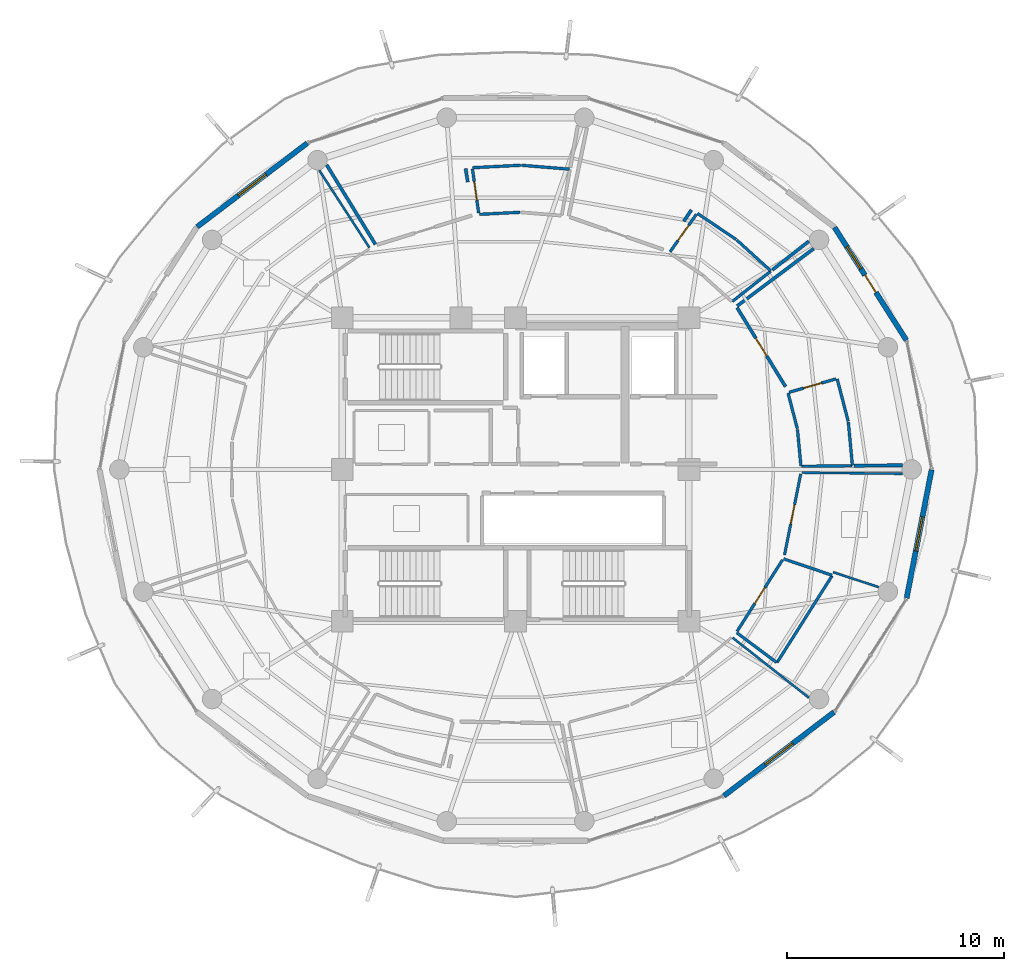
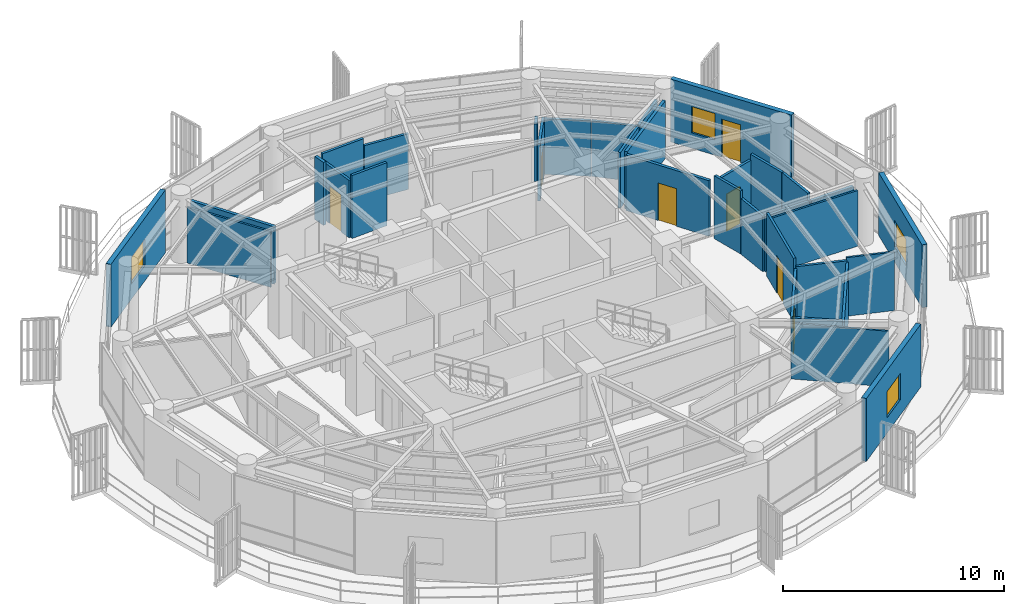
# One storey, part 19 of 24: 34 walls, 7 doors, 4 windows, 11 openings.
"""IFC4 building model written with IfcOpenShell, lengths in metres."""

from ifc_helpers import new_model, si_unit, direction, frame, frame_2d, origin, place, context, subcontext, project, spatial, rectangle, extrude, material, layer, layer_set, type_object, element, fill, save


model = new_model("IFC4")

# Units and contexts
model_context = context("Model", 3, precision=1e-05, world=origin(), true_north=direction((0.0, 1.0)))
body_context = subcontext(model_context, "Body", "Model", "MODEL_VIEW")
ifc_project = project(units=[si_unit("LENGTHUNIT", "METRE"), si_unit("AREAUNIT", "SQUARE_METRE"), si_unit("VOLUMEUNIT", "CUBIC_METRE"), si_unit("PLANEANGLEUNIT", "RADIAN"), si_unit("MASSUNIT", "GRAM", prefix="KILO")], contexts=[model_context])

# Site, building, storey
site_placement = place(None, origin())
site = spatial("IfcSite", under=ifc_project, at=site_placement, CompositionType="ELEMENT")
building_placement = place(site_placement, origin())
building = spatial("IfcBuilding", under=site, at=building_placement, Name="Kelanora Arch Commons", CompositionType="ELEMENT")
storey_placement = place(building_placement, frame((0.0, 0.0, 248.699951171875)))
storey = spatial("IfcBuildingStorey", under=building, at=storey_placement, Name="L63", CompositionType="ELEMENT", Elevation=248.699951171875)

# Wall, opening, door
ifc_material_1 = material(Name="Autoclaved aerated concrete blockwork with fire plaster", Category="masonry")
ifc_layer_1 = layer(ifc_material_1, 0.14990234375)
ifc_layer_set_1 = layer_set([ifc_layer_1], Name="Autoclaved aerated concrete blockwork with fire plaster")
wall_type_1 = type_object("IfcWallType", Name="W-COMP-150", PredefinedType="PARTITIONING", material=ifc_layer_set_1)
wall_1_placement = place(storey_placement, frame((86.45556640625, 61.82421875, 0.0), z_axis=(0.0, 0.0, 1.0), x_axis=(-0.522665227064, 0.852538011128, 0.0)))
wall_1 = element("IfcWall", 1, at=wall_1_placement, inside=storey, type_object=wall_type_1, Name="Co-Living Studio L63-01 Entry Partition", PredefinedType="PARTITIONING", context=body_context, shape_type="SweptSolid", body=[
    extrude(rectangle(XDim=4.272705078125, YDim=0.14990234375, at=frame_2d((2.13623046875, 0.0))), origin(), (0.0, 0.0, 1.0), 3.074951171875),
])
opening_1_placement = place(wall_1_placement, frame((1.660888671875, 0.0, 0.0)))
opening_1 = element("IfcOpeningElement", 2, at=opening_1_placement, cuts=wall_1, Name="Opening D-CLU1", PredefinedType="OPENING", context=body_context, shape_type="SweptSolid", body=[
    extrude(rectangle(XDim=0.949951171875, YDim=2.080078125, at=frame_2d((0.47509765625, 1.0400390625))), frame((0.0, 0.0849609375, 0.0), z_axis=(0.0, -1.0, 0.0), x_axis=(1.0, 0.0, 0.0)), (0.0, 0.0, 1.0), 0.169921875),
])
ifc_material_2 = material(Name="Solid-core acoustic timber cluster entry fire door", Category="wood")
door_type_1 = type_object("IfcDoorType", Name="D-CLU-95", OperationType="NOTDEFINED", PredefinedType="DOOR", material=ifc_material_2)
door_1_placement = place(opening_1_placement, origin())
door_1 = element("IfcDoor", 3, at=door_1_placement, inside=storey, type_object=door_type_1, Name="Co-Living Studio L63-01 Door", OperationType="SINGLE_SWING_RIGHT", OverallHeight=2.080078125, OverallWidth=0.949951171875, PredefinedType="DOOR", context=body_context, shape_type="SweptSolid", body=[
    extrude(rectangle(XDim=0.949951171875, YDim=2.080078125, at=frame_2d((0.47509765625, 1.0400390625))), frame((0.0, 0.02490234375, 0.0), z_axis=(0.0, -1.0, 0.0), x_axis=(1.0, 0.0, 0.0)), (0.0, 0.0, 1.0), 0.050048828125),
])
fill(opening_1, door_1)

# Walls
wall_2_placement = place(storey_placement, frame((84.222900390625, 65.5419921875, 0.0), z_axis=(0.0, 0.0, 1.0), x_axis=(0.800384816546, 0.599486568191, 0.0)))
element("IfcWall", 4, at=wall_2_placement, inside=storey, type_object=wall_type_1, Name="Co-Living Studio L63-01 Enclosure Partition 2", PredefinedType="PARTITIONING", context=body_context, shape_type="SweptSolid", body=[
    extrude(rectangle(XDim=4.413818359375, YDim=0.14990234375, at=frame_2d((2.20703125, 0.0))), origin(), (0.0, 0.0, 1.0), 3.175048828125),
])
wall_3_placement = place(storey_placement, frame((91.847900390625, 58.197509765625, 0.0), z_axis=(0.0, 0.0, 1.0), x_axis=(-0.999936076373, -0.011306775263, 0.0)))
element("IfcWall", 5, at=wall_3_placement, inside=storey, type_object=wall_type_1, Name="Co-Living Studio L63-01 Enclosure Partition 5", PredefinedType="PARTITIONING", context=body_context, shape_type="SweptSolid", body=[
    extrude(rectangle(XDim=2.22412109375, YDim=0.14990234375, at=frame_2d((1.112060546875, 0.0))), origin(), (0.0, 0.0, 1.0), 3.074951171875),
])
wall_4_placement = place(storey_placement, frame((87.5322265625, 68.53271484375, 0.0), z_axis=(0.0, 0.0, 1.0), x_axis=(-0.785832073147, -0.618439934685, 0.0)))
element("IfcWall", 6, at=wall_4_placement, inside=storey, type_object=wall_type_1, Name="Co-Living Studio L63-02 Enclosure Partition 5", PredefinedType="PARTITIONING", context=body_context, shape_type="SweptSolid", body=[
    extrude(rectangle(XDim=2.14404296875, YDim=0.14990234375, at=frame_2d((1.072021484375, 0.0))), origin(), (0.0, 0.0, 1.0), 3.074951171875),
])
wall_5_placement = place(storey_placement, frame((82.11279296875, 69.976806640625, 0.0), z_axis=(0.0, 0.0, 1.0), x_axis=(-0.555598996852, -0.831450392204, 0.0)))
element("IfcWall", 7, at=wall_5_placement, inside=storey, type_object=wall_type_1, Name="Co-Living Studio L63-02 Enclosure Partition 7", PredefinedType="PARTITIONING", context=body_context, shape_type="SweptSolid", body=[
    extrude(rectangle(XDim=0.626708984375, YDim=0.14990234375, at=frame_2d((0.3134765625, 0.0))), origin(), (0.0, 0.0, 1.0), 3.175048828125),
])
wall_6_placement = place(storey_placement, frame((67.5341796875, 68.385009765625, 0.0), z_axis=(0.0, 0.0, 1.0), x_axis=(-0.522784059663, 0.852465147066, 0.0)))
element("IfcWall", 8, at=wall_6_placement, inside=storey, type_object=wall_type_1, Name="Co-Living Studio L63-03 Enclosure Partition 2", PredefinedType="PARTITIONING", context=body_context, shape_type="SweptSolid", body=[
    extrude(rectangle(XDim=4.30615234375, YDim=0.14990234375, at=frame_2d((2.153076171875, 0.0))), origin(), (0.0, 0.0, 1.0), 3.175048828125),
])
wall_7_placement = place(storey_placement, frame((71.693603515625, 71.884521484375, 0.0), z_axis=(0.0, 0.0, 1.0), x_axis=(0.162139500997, -0.986767846161, 0.0)))
element("IfcWall", 9, at=wall_7_placement, inside=storey, type_object=wall_type_1, Name="Co-Living Studio L63-03 Enclosure Partition 7", PredefinedType="PARTITIONING", context=body_context, shape_type="SweptSolid", body=[
    extrude(rectangle(XDim=0.630859375, YDim=0.14990234375, at=frame_2d((0.3154296875, 0.0))), origin(), (0.0, 0.0, 1.0), 3.47998046875),
])

# Wall, openings, door, window
ifc_material_3 = material(Name="Precast concrete C40/50 upper-zone terracotta rainscreen", Category="masonry")
ifc_layer_2 = layer(ifc_material_3, 0.239990234375)
ifc_layer_set_2 = layer_set([ifc_layer_2], Name="Precast concrete C40/50 upper-zone terracotta rainscreen")
wall_type_2 = type_object("IfcWallType", Name="W-EXT-TC2", PredefinedType="SOLIDWALL", material=ifc_layer_set_2)
wall_8_placement = place(storey_placement, frame((92.033935546875, 63.9638671875, 0.0), z_axis=(0.0, 0.0, 1.0), x_axis=(-0.537271968456, 0.843409053728, 0.0)))
wall_8 = element("IfcWall", 10, at=wall_8_placement, inside=storey, type_object=wall_type_2, Name="Terracotta Exterior Wall L63-B01", PredefinedType="SOLIDWALL", context=body_context, shape_type="SweptSolid", body=[
    extrude(rectangle(XDim=6.175048828125, YDim=0.239990234375, at=frame_2d((3.08740234375, 0.0))), origin(), (0.0, 0.0, 1.0), 3.47509765625),
])
opening_2_placement = place(wall_8_placement, frame((2.613037109375, 0.0, 0.0)))
opening_2 = element("IfcOpeningElement", 11, at=opening_2_placement, cuts=wall_8, Name="Opening DB-01", PredefinedType="OPENING", context=body_context, shape_type="SweptSolid", body=[
    extrude(rectangle(XDim=0.949951171875, YDim=2.10009765625, at=frame_2d((0.47509765625, 1.050048828125))), frame((0.0, 0.1298828125, 0.0), z_axis=(0.0, -1.0, 0.0), x_axis=(1.0, 0.0, 0.0)), (0.0, 0.0, 1.0), 0.260009765625),
])
opening_3_placement = place(wall_8_placement, frame((3.9130859375, 0.0, 0.85009765625)))
opening_3 = element("IfcOpeningElement", 12, at=opening_3_placement, cuts=wall_8, Name="Opening WN-02", PredefinedType="OPENING", context=body_context, shape_type="SweptSolid", body=[
    extrude(rectangle(XDim=1.199951171875, YDim=1.449951171875, at=frame_2d((0.60009765625, 0.72509765625))), frame((0.0, 0.1298828125, 0.0), z_axis=(0.0, -1.0, 0.0), x_axis=(1.0, 0.0, 0.0)), (0.0, 0.0, 1.0), 0.260009765625),
])
ifc_material_4 = material(Name="Terracotta-aluminium thermally broken glazed balcony door", Category="masonry")
door_type_2 = type_object("IfcDoorType", Name="D-BAL-10", OperationType="NOTDEFINED", PredefinedType="DOOR", material=ifc_material_4)
door_2_placement = place(opening_2_placement, frame((0.949951171875, 0.0, 0.0), z_axis=(0.0, 0.0, 1.0), x_axis=(-1.0, 0.0, 0.0)))
door_2 = element("IfcDoor", 13, at=door_2_placement, inside=storey, type_object=door_type_2, Name="Wave Balcony Door L63-B01", OperationType="SINGLE_SWING_LEFT", OverallHeight=2.10009765625, OverallWidth=0.949951171875, PredefinedType="DOOR", context=body_context, shape_type="SweptSolid", body=[
    extrude(rectangle(XDim=0.949951171875, YDim=2.10009765625, at=frame_2d((0.47509765625, 1.050048828125))), frame((0.0, 0.02490234375, 0.0), z_axis=(0.0, -1.0, 0.0), x_axis=(1.0, 0.0, 0.0)), (0.0, 0.0, 1.0), 0.050048828125),
])
fill(opening_2, door_2)
ifc_material_5 = material(Name="Terracotta-anodised aluminium frame with operable awning sash", Category="masonry")
window_type_1 = type_object("IfcWindowType", Name="WIN-CL-12", PartitioningType="SINGLE_PANEL", PredefinedType="WINDOW", material=ifc_material_5)
window_1_placement = place(opening_3_placement, origin())
window_1 = element("IfcWindow", 14, at=window_1_placement, inside=storey, type_object=window_type_1, Name="Co-Living Operable Window L63-B01", OverallHeight=1.449951171875, OverallWidth=1.199951171875, PartitioningType="SINGLE_PANEL", PredefinedType="WINDOW", context=body_context, shape_type="SweptSolid", body=[
    extrude(rectangle(XDim=1.199951171875, YDim=1.449951171875, at=frame_2d((0.60009765625, 0.72509765625))), frame((0.0, 0.030029296875, 0.0), z_axis=(0.0, -1.0, 0.0), x_axis=(1.0, 0.0, 0.0)), (0.0, 0.0, 1.0), 0.06005859375),
])
fill(opening_3, window_1)

# Wall, opening, window
wall_9_placement = place(storey_placement, frame((64.38818359375, 73.059814453125, 0.0), z_axis=(0.0, 0.0, 1.0), x_axis=(-0.796010444211, -0.605282886514, 0.0)))
wall_9 = element("IfcWall", 15, at=wall_9_placement, inside=storey, type_object=wall_type_2, Name="Terracotta Exterior Wall L63-B06", PredefinedType="SOLIDWALL", context=body_context, shape_type="SweptSolid", body=[
    extrude(rectangle(XDim=6.387451171875, YDim=0.239990234375, at=frame_2d((3.19384765625, 0.0))), origin(), (0.0, 0.0, 1.0), 3.47509765625),
])
opening_4_placement = place(wall_9_placement, frame((2.39404296875, 0.0, 0.85009765625)))
opening_4 = element("IfcOpeningElement", 16, at=opening_4_placement, cuts=wall_9, Name="Opening WN-01", PredefinedType="OPENING", context=body_context, shape_type="SweptSolid", body=[
    extrude(rectangle(XDim=1.60009765625, YDim=1.449951171875, at=frame_2d((0.800048828125, 0.72509765625))), frame((0.0, 0.1298828125, 0.0), z_axis=(0.0, -1.0, 0.0), x_axis=(1.0, 0.0, 0.0)), (0.0, 0.0, 1.0), 0.260009765625),
])
ifc_material_6 = material(Name="Terracotta-anodised aluminium frame with operable low-E glazing", Category="masonry")
window_type_2 = type_object("IfcWindowType", Name="WIN-CL-18", PartitioningType="DOUBLE_PANEL_VERTICAL", PredefinedType="WINDOW", material=ifc_material_6)
window_2_placement = place(opening_4_placement, origin())
window_2 = element("IfcWindow", 17, at=window_2_placement, inside=storey, type_object=window_type_2, Name="Co-Living Operable Window L63-B06", OverallHeight=1.449951171875, OverallWidth=1.60009765625, PartitioningType="SINGLE_PANEL", PredefinedType="WINDOW", context=body_context, shape_type="SweptSolid", body=[
    extrude(rectangle(XDim=1.60009765625, YDim=1.449951171875, at=frame_2d((0.800048828125, 0.72509765625))), frame((0.0, 0.030029296875, 0.0), z_axis=(0.0, -1.0, 0.0), x_axis=(1.0, 0.0, 0.0)), (0.0, 0.0, 1.0), 0.06005859375),
])
fill(opening_4, window_2)

wall_10_placement = place(storey_placement, frame((83.61181640625, 42.940185546875, 0.0), z_axis=(0.0, 0.0, 1.0), x_axis=(0.796010444211, 0.605282886514, 0.0)))
wall_10 = element("IfcWall", 18, at=wall_10_placement, inside=storey, type_object=wall_type_2, Name="Terracotta Exterior Wall L63-B15", PredefinedType="SOLIDWALL", context=body_context, shape_type="SweptSolid", body=[
    extrude(rectangle(XDim=6.387451171875, YDim=0.239990234375, at=frame_2d((3.19384765625, 0.0))), origin(), (0.0, 0.0, 1.0), 3.47509765625),
])
opening_5_placement = place(wall_10_placement, frame((2.39404296875, 0.0, 0.85009765625)))
opening_5 = element("IfcOpeningElement", 19, at=opening_5_placement, cuts=wall_10, Name="Opening WN-01", PredefinedType="OPENING", context=body_context, shape_type="SweptSolid", body=[
    extrude(rectangle(XDim=1.60009765625, YDim=1.449951171875, at=frame_2d((0.800048828125, 0.72509765625))), frame((0.0, 0.1298828125, 0.0), z_axis=(0.0, -1.0, 0.0), x_axis=(1.0, 0.0, 0.0)), (0.0, 0.0, 1.0), 0.260009765625),
])
window_3_placement = place(opening_5_placement, origin())
window_3 = element("IfcWindow", 20, at=window_3_placement, inside=storey, type_object=window_type_2, Name="Co-Living Operable Window L63-B15", OverallHeight=1.449951171875, OverallWidth=1.60009765625, PartitioningType="SINGLE_PANEL", PredefinedType="WINDOW", context=body_context, shape_type="SweptSolid", body=[
    extrude(rectangle(XDim=1.60009765625, YDim=1.449951171875, at=frame_2d((0.800048828125, 0.72509765625))), frame((0.0, 0.030029296875, 0.0), z_axis=(0.0, -1.0, 0.0), x_axis=(1.0, 0.0, 0.0)), (0.0, 0.0, 1.0), 0.06005859375),
])
fill(opening_5, window_3)

wall_11_placement = place(storey_placement, frame((92.044921875, 52.0634765625, 0.0), z_axis=(0.0, 0.0, 1.0), x_axis=(0.190969309115, 0.981596008028, 0.0)))
wall_11 = element("IfcWall", 21, at=wall_11_placement, inside=storey, type_object=wall_type_2, Name="Terracotta Exterior Wall L63-B17", PredefinedType="SOLIDWALL", context=body_context, shape_type="SweptSolid", body=[
    extrude(rectangle(XDim=6.032958984375, YDim=0.239990234375, at=frame_2d((3.0166015625, 0.0))), origin(), (0.0, 0.0, 1.0), 3.47509765625),
])
opening_6_placement = place(wall_11_placement, frame((2.216064453125, 0.0, 0.85009765625)))
opening_6 = element("IfcOpeningElement", 22, at=opening_6_placement, cuts=wall_11, Name="Opening WN-01", PredefinedType="OPENING", context=body_context, shape_type="SweptSolid", body=[
    extrude(rectangle(XDim=1.60009765625, YDim=1.449951171875, at=frame_2d((0.800048828125, 0.72509765625))), frame((0.0, 0.1298828125, 0.0), z_axis=(0.0, -1.0, 0.0), x_axis=(1.0, 0.0, 0.0)), (0.0, 0.0, 1.0), 0.260009765625),
])
window_4_placement = place(opening_6_placement, origin())
window_4 = element("IfcWindow", 23, at=window_4_placement, inside=storey, type_object=window_type_2, Name="Co-Living Operable Window L63-B17", OverallHeight=1.449951171875, OverallWidth=1.60009765625, PartitioningType="SINGLE_PANEL", PredefinedType="WINDOW", context=body_context, shape_type="SweptSolid", body=[
    extrude(rectangle(XDim=1.60009765625, YDim=1.449951171875, at=frame_2d((0.800048828125, 0.72509765625))), frame((0.0, 0.030029296875, 0.0), z_axis=(0.0, -1.0, 0.0), x_axis=(1.0, 0.0, 0.0)), (0.0, 0.0, 1.0), 0.06005859375),
])
fill(opening_6, window_4)

# Walls
ifc_material_7 = material(Name="Lightweight fire-rated acoustic stud partition")
ifc_layer_3 = layer(ifc_material_7, 0.10009765625)
ifc_layer_set_3 = layer_set([ifc_layer_3], Name="Lightweight fire-rated acoustic stud partition")
wall_type_3 = type_object("IfcWallType", Name="W-PART-100", PredefinedType="PARTITIONING", material=ifc_layer_set_3)
wall_12_placement = place(storey_placement, frame((64.941650390625, 71.80419921875, 0.0), z_axis=(0.0, 0.0, 1.0), x_axis=(0.544234825024, -0.838932926539, 0.0)))
element("IfcWall", 24, at=wall_12_placement, inside=storey, type_object=wall_type_3, Name="Communal Dining and Social Hall L63-04 Enclosure Partition 8", PredefinedType="PARTITIONING", context=body_context, shape_type="SweptSolid", body=[
    extrude(rectangle(XDim=4.2490234375, YDim=0.10009765625, at=frame_2d((2.12451171875, 0.0))), origin(), (0.0, 0.0, 1.0), 3.074951171875),
])
wall_13_placement = place(storey_placement, frame((84.016357421875, 50.2353515625, 0.0), z_axis=(0.0, 0.0, 1.0), x_axis=(0.785736749878, -0.618561039745, 0.0)))
element("IfcWall", 25, at=wall_13_placement, inside=storey, type_object=wall_type_3, Name="Communal Dining and Social Hall L63-08 Enclosure Partition 4", PredefinedType="PARTITIONING", context=body_context, shape_type="SweptSolid", body=[
    extrude(rectangle(XDim=4.474609375, YDim=0.10009765625, at=frame_2d((2.2373046875, 0.0))), origin(), (0.0, 0.0, 1.0), 3.074951171875),
])
wall_14_placement = place(storey_placement, frame((87.208984375, 57.8544921875, 0.0), z_axis=(0.0, 0.0, 1.0), x_axis=(0.999937174585, -0.01120923205, 0.0)))
element("IfcWall", 26, at=wall_14_placement, inside=storey, type_object=wall_type_3, Name="Tutorial Study Alcove L63-09 Enclosure Partition 2", PredefinedType="PARTITIONING", context=body_context, shape_type="SweptSolid", body=[
    extrude(rectangle(XDim=4.63916015625, YDim=0.10009765625, at=frame_2d((2.319580078125, 0.0))), origin(), (0.0, 0.0, 1.0), 3.074951171875),
])
wall_15_placement = place(storey_placement, frame((90.751220703125, 52.572998046875, 0.0), z_axis=(0.0, 0.0, 1.0), x_axis=(-0.950301719956, 0.311330437073, 0.0)))
element("IfcWall", 27, at=wall_15_placement, inside=storey, type_object=wall_type_3, Name="Tutorial Study Alcove L63-09 Enclosure Partition 4", PredefinedType="PARTITIONING", context=body_context, shape_type="SweptSolid", body=[
    extrude(rectangle(XDim=2.21533203125, YDim=0.10009765625, at=frame_2d((1.107666015625, 0.0))), origin(), (0.0, 0.0, 1.0), 3.235107421875),
])

# Wall, opening, door
ifc_material_8 = material(Name="Acoustic twin-stud fire-rated gypsum partition")
ifc_layer_4 = layer(ifc_material_8, 0.1201171875)
ifc_layer_set_4 = layer_set([ifc_layer_4], Name="Acoustic twin-stud fire-rated gypsum partition")
wall_type_4 = type_object("IfcWallType", Name="W-PART-120", PredefinedType="PARTITIONING", material=ifc_layer_set_4)
wall_16_placement = place(storey_placement, frame((86.41064453125, 54.057861328125, 0.0), z_axis=(0.0, 0.0, 1.0), x_axis=(0.195845174173, 0.980634828952, 0.0)))
wall_16 = element("IfcWall", 28, at=wall_16_placement, inside=storey, type_object=wall_type_4, Name="Tutorial Study Alcove L63-09 Entry Partition", PredefinedType="PARTITIONING", context=body_context, shape_type="SweptSolid", body=[
    extrude(rectangle(XDim=3.81201171875, YDim=0.1201171875, at=frame_2d((1.906005859375, 0.0))), origin(), (0.0, 0.0, 1.0), 3.47998046875),
])
opening_7_placement = place(wall_16_placement, frame((1.4560546875, 0.0, 0.0)))
opening_7 = element("IfcOpeningElement", 29, at=opening_7_placement, cuts=wall_16, Name="Opening D-RM1", PredefinedType="OPENING", context=body_context, shape_type="SweptSolid", body=[
    extrude(rectangle(XDim=0.89990234375, YDim=2.080078125, at=frame_2d((0.449951171875, 1.0400390625))), frame((0.0, 0.070068359375, 0.0), z_axis=(0.0, -1.0, 0.0), x_axis=(1.0, 0.0, 0.0)), (0.0, 0.0, 1.0), 0.14013671875),
])
ifc_material_9 = material(Name="Acoustic fire-rated timber study and lounge door", Category="wood")
door_type_3 = type_object("IfcDoorType", Name="D-ROOM-90", OperationType="NOTDEFINED", PredefinedType="DOOR", material=ifc_material_9)
door_3_placement = place(opening_7_placement, origin())
door_3 = element("IfcDoor", 30, at=door_3_placement, inside=storey, type_object=door_type_3, Name="Tutorial Study Alcove L63-09 Door", OperationType="SINGLE_SWING_RIGHT", OverallHeight=2.080078125, OverallWidth=0.89990234375, PredefinedType="DOOR", context=body_context, shape_type="SweptSolid", body=[
    extrude(rectangle(XDim=0.89990234375, YDim=2.080078125, at=frame_2d((0.449951171875, 1.0400390625))), frame((0.0, 0.02490234375, 0.0), z_axis=(0.0, -1.0, 0.0), x_axis=(1.0, 0.0, 0.0)), (0.0, 0.0, 1.0), 0.050048828125),
])
fill(opening_7, door_3)

ifc_material_10 = material(Name="Moisture-resistant fire-rated cement-board plumbing wall")
ifc_layer_5 = layer(ifc_material_10, 0.1298828125)
ifc_layer_set_5 = layer_set([ifc_layer_5], Name="Moisture-resistant fire-rated cement-board plumbing wall")
wall_type_5 = type_object("IfcWallType", Name="W-WET-120", PredefinedType="PLUMBINGWALL", material=ifc_layer_set_5)
wall_17_placement = place(storey_placement, frame((86.625732421875, 61.5625, 0.0), z_axis=(0.0, 0.0, 1.0), x_axis=(0.961379738838, 0.275225358117, 0.0)))
wall_17 = element("IfcWall", 31, at=wall_17_placement, inside=storey, type_object=wall_type_5, Name="En-Suite Shower WC L63-01 Entry Partition", PredefinedType="PLUMBINGWALL", context=body_context, shape_type="SweptSolid", body=[
    extrude(rectangle(XDim=2.238037109375, YDim=0.1298828125, at=frame_2d((1.119140625, 0.0))), origin(), (0.0, 0.0, 1.0), 3.175048828125),
])
opening_8_placement = place(wall_17_placement, frame((0.68896484375, 0.0, 0.0)))
opening_8 = element("IfcOpeningElement", 32, at=opening_8_placement, cuts=wall_17, Name="Opening D-BT1", PredefinedType="OPENING", context=body_context, shape_type="SweptSolid", body=[
    extrude(rectangle(XDim=0.860107421875, YDim=2.050048828125, at=frame_2d((0.43017578125, 1.02490234375))), frame((0.0, 0.074951171875, 0.0), z_axis=(0.0, -1.0, 0.0), x_axis=(1.0, 0.0, 0.0)), (0.0, 0.0, 1.0), 0.14990234375),
])
ifc_material_11 = material(Name="Moisture-sealed fire-rated accessible bathroom door")
door_type_4 = type_object("IfcDoorType", Name="D-BATH-85", OperationType="NOTDEFINED", PredefinedType="DOOR", material=ifc_material_11)
door_4_placement = place(opening_8_placement, origin())
door_4 = element("IfcDoor", 33, at=door_4_placement, inside=storey, type_object=door_type_4, Name="En-Suite Shower WC L63-01 Door", OperationType="SINGLE_SWING_LEFT", OverallHeight=2.050048828125, OverallWidth=0.860107421875, PredefinedType="DOOR", context=body_context, shape_type="SweptSolid", body=[
    extrude(rectangle(XDim=0.860107421875, YDim=2.050048828125, at=frame_2d((0.43017578125, 1.02490234375))), frame((0.0, 0.02490234375, 0.0), z_axis=(0.0, -1.0, 0.0), x_axis=(1.0, 0.0, 0.0)), (0.0, 0.0, 1.0), 0.050048828125),
])
fill(opening_8, door_4)

wall_18_placement = place(storey_placement, frame((81.13330078125, 68.047119140625, 0.0), z_axis=(0.0, 0.0, 1.0), x_axis=(0.573578732096, 0.819150436787, 0.0)))
wall_18 = element("IfcWall", 34, at=wall_18_placement, inside=storey, type_object=wall_type_5, Name="En-Suite Shower WC L63-02 Entry Partition", PredefinedType="PLUMBINGWALL", context=body_context, shape_type="SweptSolid", body=[
    extrude(rectangle(XDim=2.111572265625, YDim=0.1298828125, at=frame_2d((1.0556640625, 0.0))), origin(), (0.0, 0.0, 1.0), 3.175048828125),
])
opening_9_placement = place(wall_18_placement, frame((0.6259765625, 0.0, 0.0)))
opening_9 = element("IfcOpeningElement", 35, at=opening_9_placement, cuts=wall_18, Name="Opening D-BT1", PredefinedType="OPENING", context=body_context, shape_type="SweptSolid", body=[
    extrude(rectangle(XDim=0.860107421875, YDim=2.050048828125, at=frame_2d((0.43017578125, 1.02490234375))), frame((0.0, 0.074951171875, 0.0), z_axis=(0.0, -1.0, 0.0), x_axis=(1.0, 0.0, 0.0)), (0.0, 0.0, 1.0), 0.14990234375),
])
door_5_placement = place(opening_9_placement, origin())
door_5 = element("IfcDoor", 36, at=door_5_placement, inside=storey, type_object=door_type_4, Name="En-Suite Shower WC L63-02 Door", OperationType="SINGLE_SWING_LEFT", OverallHeight=2.050048828125, OverallWidth=0.860107421875, PredefinedType="DOOR", context=body_context, shape_type="SweptSolid", body=[
    extrude(rectangle(XDim=0.860107421875, YDim=2.050048828125, at=frame_2d((0.43017578125, 1.02490234375))), frame((0.0, 0.02490234375, 0.0), z_axis=(0.0, -1.0, 0.0), x_axis=(1.0, 0.0, 0.0)), (0.0, 0.0, 1.0), 0.050048828125),
])
fill(opening_9, door_5)

wall_19_placement = place(storey_placement, frame((72.298583984375, 69.831298828125, 0.0), z_axis=(0.0, 0.0, 1.0), x_axis=(-0.14028943716, 0.990110536163, 0.0)))
wall_19 = element("IfcWall", 37, at=wall_19_placement, inside=storey, type_object=wall_type_5, Name="En-Suite Shower WC L63-03 Entry Partition", PredefinedType="PLUMBINGWALL", context=body_context, shape_type="SweptSolid", body=[
    extrude(rectangle(XDim=2.053466796875, YDim=0.1298828125, at=frame_2d((1.02685546875, 0.0))), origin(), (0.0, 0.0, 1.0), 3.175048828125),
])
opening_10_placement = place(wall_19_placement, frame((0.596923828125, 0.0, 0.0)))
opening_10 = element("IfcOpeningElement", 38, at=opening_10_placement, cuts=wall_19, Name="Opening D-BT1", PredefinedType="OPENING", context=body_context, shape_type="SweptSolid", body=[
    extrude(rectangle(XDim=0.860107421875, YDim=2.050048828125, at=frame_2d((0.43017578125, 1.02490234375))), frame((0.0, 0.074951171875, 0.0), z_axis=(0.0, -1.0, 0.0), x_axis=(1.0, 0.0, 0.0)), (0.0, 0.0, 1.0), 0.14990234375),
])
door_6_placement = place(opening_10_placement, origin())
door_6 = element("IfcDoor", 39, at=door_6_placement, inside=storey, type_object=door_type_4, Name="En-Suite Shower WC L63-03 Door", OperationType="SINGLE_SWING_LEFT", OverallHeight=2.050048828125, OverallWidth=0.860107421875, PredefinedType="DOOR", context=body_context, shape_type="SweptSolid", body=[
    extrude(rectangle(XDim=0.860107421875, YDim=2.050048828125, at=frame_2d((0.43017578125, 1.02490234375))), frame((0.0, 0.02490234375, 0.0), z_axis=(0.0, -1.0, 0.0), x_axis=(1.0, 0.0, 0.0)), (0.0, 0.0, 1.0), 0.050048828125),
])
fill(opening_10, door_6)

wall_20_placement = place(storey_placement, frame((84.22314453125, 50.53271484375, 0.0), z_axis=(0.0, 0.0, 1.0), x_axis=(0.536434868975, 0.84394172272, 0.0)))
wall_20 = element("IfcWall", 40, at=wall_20_placement, inside=storey, type_object=wall_type_5, Name="Accessible Shared Floor WC L63-09 Entry Partition", PredefinedType="PLUMBINGWALL", context=body_context, shape_type="SweptSolid", body=[
    extrude(rectangle(XDim=3.908447265625, YDim=0.1298828125, at=frame_2d((1.9541015625, 0.0))), origin(), (0.0, 0.0, 1.0), 3.074951171875),
])
opening_11_placement = place(wall_20_placement, frame((1.52392578125, 0.0, 0.0)))
opening_11 = element("IfcOpeningElement", 41, at=opening_11_placement, cuts=wall_20, Name="Opening D-BT1", PredefinedType="OPENING", context=body_context, shape_type="SweptSolid", body=[
    extrude(rectangle(XDim=0.860107421875, YDim=2.050048828125, at=frame_2d((0.43017578125, 1.02490234375))), frame((0.0, 0.074951171875, 0.0), z_axis=(0.0, -1.0, 0.0), x_axis=(1.0, 0.0, 0.0)), (0.0, 0.0, 1.0), 0.14990234375),
])
door_7_placement = place(opening_11_placement, origin())
door_7 = element("IfcDoor", 42, at=door_7_placement, inside=storey, type_object=door_type_4, Name="Accessible Shared Floor WC L63-09 Door", OperationType="SINGLE_SWING_LEFT", OverallHeight=2.050048828125, OverallWidth=0.860107421875, PredefinedType="DOOR", context=body_context, shape_type="SweptSolid", body=[
    extrude(rectangle(XDim=0.860107421875, YDim=2.050048828125, at=frame_2d((0.43017578125, 1.02490234375))), frame((0.0, 0.02490234375, 0.0), z_axis=(0.0, -1.0, 0.0), x_axis=(1.0, 0.0, 0.0)), (0.0, 0.0, 1.0), 0.050048828125),
])
fill(opening_11, door_7)

# Walls
wall_21_placement = place(storey_placement, frame((87.1669921875, 58.164794921875, 0.0), z_axis=(0.0, 0.0, 1.0), x_axis=(-0.094303984979, 0.995543448784, 0.0)))
element("IfcWall", 43, at=wall_21_placement, inside=storey, type_object=wall_type_5, Name="En-Suite Shower WC L63-01 Enclosure Partition 1", PredefinedType="PLUMBINGWALL", context=body_context, shape_type="SweptSolid", body=[
    extrude(rectangle(XDim=1.68798828125, YDim=0.1298828125, at=frame_2d((0.843994140625, 0.0))), origin(), (0.0, 0.0, 1.0), 3.074951171875),
])
wall_22_placement = place(storey_placement, frame((87.0009765625, 59.884521484375, 0.0), z_axis=(0.0, 0.0, 1.0), x_axis=(-0.252205193656, 0.967673777826, 0.0)))
element("IfcWall", 44, at=wall_22_placement, inside=storey, type_object=wall_type_5, Name="En-Suite Shower WC L63-01 Enclosure Partition 2", PredefinedType="PLUMBINGWALL", context=body_context, shape_type="SweptSolid", body=[
    extrude(rectangle(XDim=1.697021484375, YDim=0.1298828125, at=frame_2d((0.8486328125, 0.0))), origin(), (0.0, 0.0, 1.0), 3.47998046875),
])
wall_23_placement = place(storey_placement, frame((88.840087890625, 62.175537109375, 0.0), z_axis=(0.0, 0.0, 1.0), x_axis=(0.251652018774, -0.967817783184, 0.0)))
element("IfcWall", 45, at=wall_23_placement, inside=storey, type_object=wall_type_5, Name="En-Suite Shower WC L63-01 Enclosure Partition 4", PredefinedType="PLUMBINGWALL", context=body_context, shape_type="SweptSolid", body=[
    extrude(rectangle(XDim=2.013916015625, YDim=0.1298828125, at=frame_2d((1.0068359375, 0.0))), origin(), (0.0, 0.0, 1.0), 3.47998046875),
])
wall_24_placement = place(storey_placement, frame((89.35400390625, 60.18701171875, 0.0), z_axis=(0.0, 0.0, 1.0), x_axis=(0.09380867442, -0.995590243325, 0.0)))
element("IfcWall", 46, at=wall_24_placement, inside=storey, type_object=wall_type_5, Name="En-Suite Shower WC L63-01 Enclosure Partition 5", PredefinedType="PLUMBINGWALL", context=body_context, shape_type="SweptSolid", body=[
    extrude(rectangle(XDim=2.00390625, YDim=0.1298828125, at=frame_2d((1.001953125, 0.0))), origin(), (0.0, 0.0, 1.0), 3.47998046875),
])
wall_25_placement = place(storey_placement, frame((89.52392578125, 58.171875, 0.0), z_axis=(0.0, 0.0, 1.0), x_axis=(-0.999935061604, -0.011396164964, 0.0)))
element("IfcWall", 47, at=wall_25_placement, inside=storey, type_object=wall_type_5, Name="En-Suite Shower WC L63-01 Enclosure Partition 6", PredefinedType="PLUMBINGWALL", context=body_context, shape_type="SweptSolid", body=[
    extrude(rectangle(XDim=2.335205078125, YDim=0.1298828125, at=frame_2d((1.16748046875, 0.0))), origin(), (0.0, 0.0, 1.0), 3.074951171875),
])
wall_26_placement = place(storey_placement, frame((82.3955078125, 69.814697265625, 0.0), z_axis=(0.0, 0.0, 1.0), x_axis=(0.828761584291, -0.559601855254, 0.0)))
element("IfcWall", 48, at=wall_26_placement, inside=storey, type_object=wall_type_5, Name="En-Suite Shower WC L63-02 Enclosure Partition 4", PredefinedType="PLUMBINGWALL", context=body_context, shape_type="SweptSolid", body=[
    extrude(rectangle(XDim=2.145263671875, YDim=0.1298828125, at=frame_2d((1.07275390625, 0.0))), origin(), (0.0, 0.0, 1.0), 3.074951171875),
])
wall_27_placement = place(storey_placement, frame((84.204833984375, 68.589599609375, 0.0), z_axis=(0.0, 0.0, 1.0), x_axis=(0.740404918602, -0.672161109043, 0.0)))
element("IfcWall", 49, at=wall_27_placement, inside=storey, type_object=wall_type_5, Name="En-Suite Shower WC L63-02 Enclosure Partition 5", PredefinedType="PLUMBINGWALL", context=body_context, shape_type="SweptSolid", body=[
    extrude(rectangle(XDim=2.1142578125, YDim=0.1298828125, at=frame_2d((1.05712890625, 0.0))), origin(), (0.0, 0.0, 1.0), 3.074951171875),
])
wall_28_placement = place(storey_placement, frame((85.769287109375, 67.142578125, 0.0), z_axis=(0.0, 0.0, 1.0), x_axis=(-0.786197810061, -0.617974921381, 0.0)))
element("IfcWall", 50, at=wall_28_placement, inside=storey, type_object=wall_type_5, Name="En-Suite Shower WC L63-02 Enclosure Partition 6", PredefinedType="PLUMBINGWALL", context=body_context, shape_type="SweptSolid", body=[
    extrude(rectangle(XDim=2.24951171875, YDim=0.1298828125, at=frame_2d((1.124755859375, 0.0))), origin(), (0.0, 0.0, 1.0), 3.074951171875),
])
wall_29_placement = place(storey_placement, frame((74.199951171875, 69.866943359375, 0.0), z_axis=(0.0, 0.0, 1.0), x_axis=(-0.998743232436, -0.050119414036, 0.0)))
element("IfcWall", 51, at=wall_29_placement, inside=storey, type_object=wall_type_5, Name="En-Suite Shower WC L63-03 Enclosure Partition 2", PredefinedType="PLUMBINGWALL", context=body_context, shape_type="SweptSolid", body=[
    extrude(rectangle(XDim=1.87548828125, YDim=0.1298828125, at=frame_2d((0.937744140625, 0.0))), origin(), (0.0, 0.0, 1.0), 3.47998046875),
])
wall_30_placement = place(storey_placement, frame((72.02197265625, 71.925048828125, 0.0), z_axis=(0.0, 0.0, 1.0), x_axis=(0.998726159472, 0.050458481805, 0.0)))
element("IfcWall", 52, at=wall_30_placement, inside=storey, type_object=wall_type_5, Name="En-Suite Shower WC L63-03 Enclosure Partition 4", PredefinedType="PLUMBINGWALL", context=body_context, shape_type="SweptSolid", body=[
    extrude(rectangle(XDim=2.220947265625, YDim=0.1298828125, at=frame_2d((1.1103515625, 0.0))), origin(), (0.0, 0.0, 1.0), 3.47998046875),
])
wall_31_placement = place(storey_placement, frame((74.27978515625, 72.036376953125, 0.0), z_axis=(0.0, 0.0, 1.0), x_axis=(0.996718024019, -0.080951717687, 0.0)))
element("IfcWall", 53, at=wall_31_placement, inside=storey, type_object=wall_type_5, Name="En-Suite Shower WC L63-03 Enclosure Partition 5", PredefinedType="PLUMBINGWALL", context=body_context, shape_type="SweptSolid", body=[
    extrude(rectangle(XDim=2.2197265625, YDim=0.1298828125, at=frame_2d((1.10986328125, 0.0))), origin(), (0.0, 0.0, 1.0), 3.074951171875),
])
wall_32_placement = place(storey_placement, frame((86.370849609375, 53.87548828125, 0.0), z_axis=(0.0, 0.0, 1.0), x_axis=(0.947177643747, -0.320709387431, 0.0)))
element("IfcWall", 54, at=wall_32_placement, inside=storey, type_object=wall_type_5, Name="Accessible Shared Floor WC L63-09 Enclosure Partition 2", PredefinedType="PLUMBINGWALL", context=body_context, shape_type="SweptSolid", body=[
    extrude(rectangle(XDim=2.3515625, YDim=0.1298828125, at=frame_2d((1.17578125, 0.0))), origin(), (0.0, 0.0, 1.0), 3.175048828125),
])
wall_33_placement = place(storey_placement, frame((88.606201171875, 53.09814453125, 0.0), z_axis=(0.0, 0.0, 1.0), x_axis=(-0.535433501212, -0.844577388864, 0.0)))
element("IfcWall", 55, at=wall_33_placement, inside=storey, type_object=wall_type_5, Name="Accessible Shared Floor WC L63-09 Enclosure Partition 3", PredefinedType="PLUMBINGWALL", context=body_context, shape_type="SweptSolid", body=[
    extrude(rectangle(XDim=4.735107421875, YDim=0.1298828125, at=frame_2d((2.36767578125, 0.0))), origin(), (0.0, 0.0, 1.0), 3.074951171875),
])
wall_34_placement = place(storey_placement, frame((86.0439453125, 49.093994140625, 0.0), z_axis=(0.0, 0.0, 1.0), x_axis=(-0.800357274386, 0.599523338442, 0.0)))
element("IfcWall", 56, at=wall_34_placement, inside=storey, type_object=wall_type_5, Name="Accessible Shared Floor WC L63-09 Enclosure Partition 4", PredefinedType="PLUMBINGWALL", context=body_context, shape_type="SweptSolid", body=[
    extrude(rectangle(XDim=2.295166015625, YDim=0.1298828125, at=frame_2d((1.1474609375, 0.0))), origin(), (0.0, 0.0, 1.0), 3.175048828125),
])

save(model, "model.ifc")
